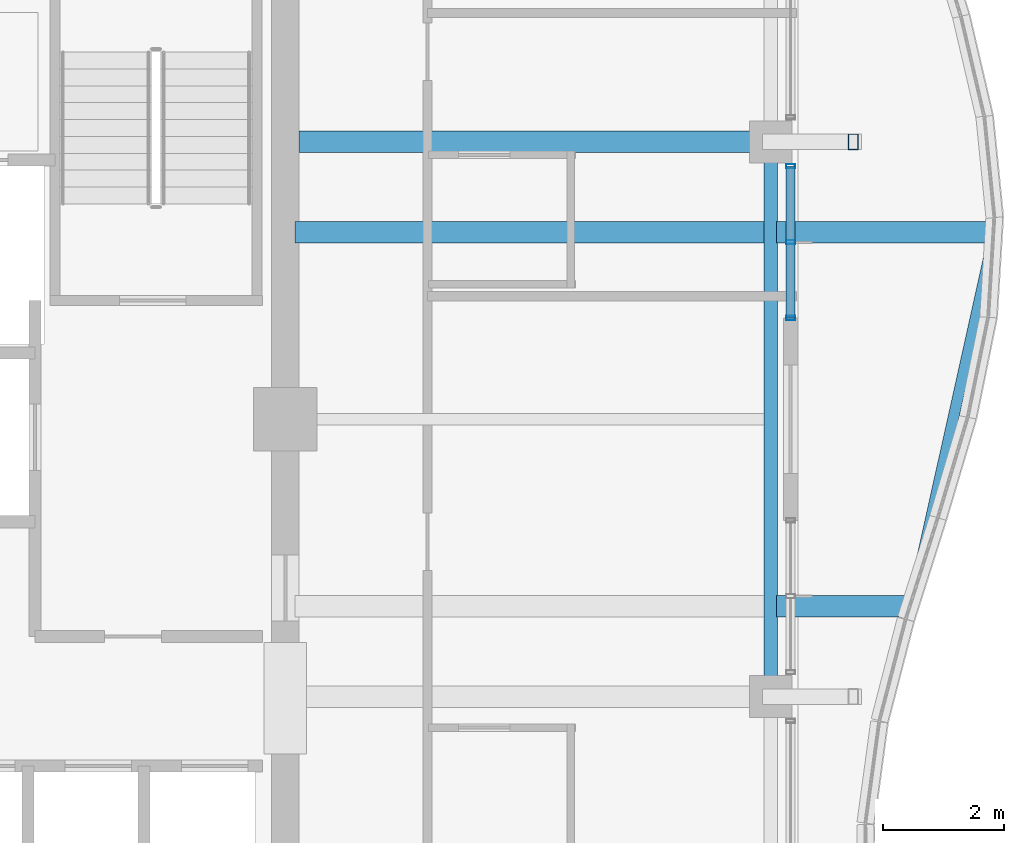
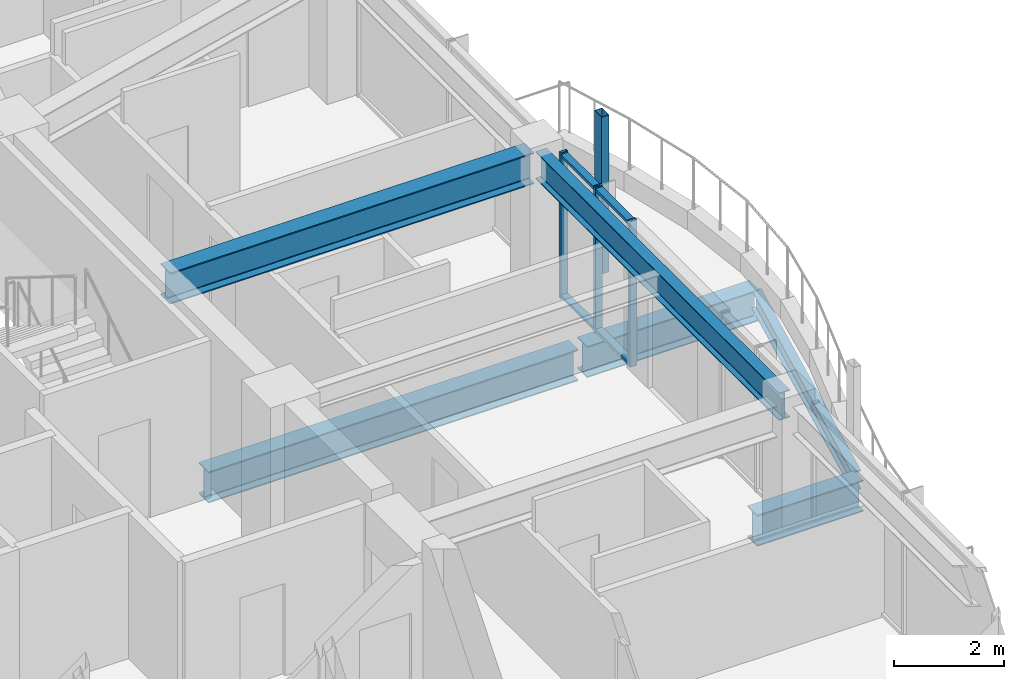
# One storey, part 12 of 29: 6 beams, 6 members, 1 element without a shape of its own.
"""IFC4 building model written with IfcOpenShell, lengths in metres."""

from ifc_helpers import new_model, si_unit, direction, frame, origin, origin_2d, place, context, subcontext, project, spatial, hollow_rectangle, i_section, extrude, material, material_profile, profile_set, type_object, element, aggregate, save


model = new_model("IFC4")

# Units and contexts
model_context = context("Model", 3, precision=1e-05, world=origin(), true_north=direction((0.0, 1.0)))
body_context = subcontext(model_context, "Body", "Model", "MODEL_VIEW")
ifc_project = project(units=[si_unit("LENGTHUNIT", "METRE"), si_unit("AREAUNIT", "SQUARE_METRE"), si_unit("VOLUMEUNIT", "CUBIC_METRE"), si_unit("PLANEANGLEUNIT", "RADIAN"), si_unit("MASSUNIT", "GRAM", prefix="KILO")], contexts=[model_context])

# Site, building, storey
site_placement = place(None, origin())
site = spatial("IfcSite", under=ifc_project, at=site_placement, CompositionType="ELEMENT")
building_placement = place(site_placement, origin())
building = spatial("IfcBuilding", under=site, at=building_placement, Name="Kolvaren Belvedere", CompositionType="ELEMENT")
storey_placement = place(building_placement, frame((0.0, 0.0, 244.39990234375)))
storey = spatial("IfcBuildingStorey", under=building, at=storey_placement, Name="L71", CompositionType="ELEMENT", Elevation=244.39990234375)

# Beams
ifc_material_1 = material(Name="Structural steel ASTM A992 Grade 50", Category="steel")
ifc_material_profile_1 = material_profile(ifc_material_1, i_section(OverallWidth=0.35498046875, OverallDepth=0.696044921875, WebThickness=0.015380859375, FlangeThickness=0.02490234375, FilletRadius=0.02197265625, at=origin_2d()), Name="W27X146")
ifc_profile_set_1 = profile_set([ifc_material_profile_1], Name="Structural steel ASTM A992 Grade 50")
beam_type_1 = type_object("IfcBeamType", Name="BM-CANT-BAL", PredefinedType="BEAM", material=ifc_profile_set_1)
beam_1_placement = place(storey_placement, frame((18.044921875, -3.10009765625, -0.597900390625), z_axis=(1.0, 0.0, 0.0), x_axis=(0.0, 1.0, 0.0)))
element("IfcBeam", 1, at=beam_1_placement, inside=storey, type_object=beam_type_1, Name="L71 Planted Balcony Cantilever BAL-E-1", PredefinedType="BEAM", context=body_context, shape_type="SweptSolid", body=[
    extrude(i_section(OverallWidth=0.35498046875, OverallDepth=0.696044921875, WebThickness=0.015380859375, FlangeThickness=0.02490234375, FilletRadius=0.02197265625, at=origin_2d()), origin(), (0.0, 0.0, 1.0), 2.239990234375),
])
beam_2_placement = place(storey_placement, frame((18.044921875, 3.10009765625, -0.597900390625), z_axis=(1.0, 0.0, 0.0), x_axis=(0.0, 1.0, 0.0)))
element("IfcBeam", 2, at=beam_2_placement, inside=storey, type_object=beam_type_1, Name="L71 Planted Balcony Cantilever BAL-E-2", PredefinedType="BEAM", context=body_context, shape_type="SweptSolid", body=[
    extrude(i_section(OverallWidth=0.35498046875, OverallDepth=0.696044921875, WebThickness=0.015380859375, FlangeThickness=0.02490234375, FilletRadius=0.02197265625, at=origin_2d()), origin(), (0.0, 0.0, 1.0), 3.619140625),
])
ifc_material_2 = material(Name="Structural steel ASTM A992 Grade 50", Category="steel")
ifc_material_profile_2 = material_profile(ifc_material_2, i_section(OverallWidth=0.180908203125, OverallDepth=0.4169921875, WebThickness=0.010986328125, FlangeThickness=0.018310546875, FilletRadius=0.013916015625, at=origin_2d()), Name="W16X57")
ifc_profile_set_2 = profile_set([ifc_material_profile_2], Name="Structural steel ASTM A992 Grade 50")
beam_type_2 = type_object("IfcBeamType", Name="BM-EDGE-W16X57", PredefinedType="BEAM", material=ifc_profile_set_2)
beam_3_placement = place(storey_placement, frame((20.315185546875, -2.96337890625, -0.45849609375), z_axis=(0.217173129084, 0.976133101582, 0.0), x_axis=(-0.976133101582, 0.217173129084, 0.0)))
element("IfcBeam", 3, at=beam_3_placement, inside=storey, type_object=beam_type_2, Name="L71 Balcony Tip Header Beam BAL-E", PredefinedType="BEAM", context=body_context, shape_type="SweptSolid", body=[
    extrude(i_section(OverallWidth=0.180908203125, OverallDepth=0.4169921875, WebThickness=0.010986328125, FlangeThickness=0.018310546875, FilletRadius=0.013916015625, at=origin_2d()), origin(), (0.0, 0.0, 1.0), 6.07177734375),
])
ifc_material_3 = material(Name="Structural steel ASTM A992 Grade 50", Category="steel")
ifc_material_profile_3 = material_profile(ifc_material_3, i_section(OverallWidth=0.35498046875, OverallDepth=0.696044921875, WebThickness=0.015380859375, FlangeThickness=0.02490234375, FilletRadius=0.02197265625, at=origin_2d()), Name="W27X146")
ifc_profile_set_3 = profile_set([ifc_material_profile_3], Name="Structural steel ASTM A992 Grade 50")
beam_type_3 = type_object("IfcBeamType", Name="BM-GIRD-W27X146", PredefinedType="BEAM", material=ifc_profile_set_3)
beam_4_placement = place(storey_placement, frame((10.06494140625, 3.10009765625, -0.597900390625), z_axis=(1.0, 0.0, 0.0), x_axis=(0.0, 1.0, 0.0)))
element("IfcBeam", 4, at=beam_4_placement, inside=storey, type_object=beam_type_3, Name="L71 Balcony Interior Back-Span Girder BAL-E-2", PredefinedType="BEAM", context=body_context, shape_type="SweptSolid", body=[
    extrude(i_section(OverallWidth=0.35498046875, OverallDepth=0.696044921875, WebThickness=0.015380859375, FlangeThickness=0.02490234375, FilletRadius=0.02197265625, at=origin_2d()), origin(), (0.0, 0.0, 1.0), 7.7900390625),
])
beam_5_placement = place(storey_placement, frame((10.125, 4.60009765625, 2.902099609375), z_axis=(1.0, 0.0, 0.0), x_axis=(0.0, 1.0, 0.0)))
element("IfcBeam", 5, at=beam_5_placement, inside=storey, type_object=beam_type_3, Name="L71 East Radial Girder P", PredefinedType="BEAM", context=body_context, shape_type="SweptSolid", body=[
    extrude(i_section(OverallWidth=0.35498046875, OverallDepth=0.696044921875, WebThickness=0.015380859375, FlangeThickness=0.02490234375, FilletRadius=0.02197265625, at=origin_2d()), origin(), (0.0, 0.0, 1.0), 7.66748046875),
])
ifc_material_4 = material(Name="Structural steel ASTM A992 Grade 50", Category="steel")
ifc_material_profile_4 = material_profile(ifc_material_4, i_section(OverallWidth=0.22900390625, OverallDepth=0.612060546875, WebThickness=0.011962890625, FlangeThickness=0.01953125, FilletRadius=0.01806640625, at=origin_2d()), Name="W24X84")
ifc_profile_set_4 = profile_set([ifc_material_profile_4], Name="Structural steel ASTM A992 Grade 50")
beam_type_4 = type_object("IfcBeamType", Name="BM-SPAN-W24X84", PredefinedType="SPANDREL", material=ifc_profile_set_4)
beam_6_placement = place(storey_placement, frame((17.949951171875, -4.4423828125, 2.944091796875), z_axis=(0.0, 1.0, 0.0), x_axis=(-1.0, 0.0, 0.0)))
element("IfcBeam", 6, at=beam_6_placement, inside=storey, type_object=beam_type_4, Name="L71 Perimeter Spandrel E2-E3", PredefinedType="SPANDREL", context=body_context, shape_type="SweptSolid", body=[
    extrude(i_section(OverallWidth=0.22900390625, OverallDepth=0.612060546875, WebThickness=0.011962890625, FlangeThickness=0.01953125, FilletRadius=0.01806640625, at=origin_2d()), origin(), (0.0, 0.0, 1.0), 8.884765625),
])

# Curtain wall, members
ifc_material_5 = material(Name="Anodised pale-metal aluminium AA 6063-T6", Category="aluminium")
curtain_wall_type = type_object("IfcCurtainWallType", Name="CW-Z5-HIGH", PredefinedType="NOTDEFINED", material=ifc_material_5)
curtain_wall_placement = place(storey_placement, origin())
curtain_wall = element("IfcCurtainWall", 7, at=curtain_wall_placement, inside=storey, type_object=curtain_wall_type, Name="L71 Unitised Curtain Wall FCW-L71-E1-B2", PredefinedType="NOTDEFINED")
ifc_material_6 = material(Name="Anodised pale-metal aluminium AA 6063-T6", Category="aluminium")
ifc_material_profile_5 = material_profile(ifc_material_6, hollow_rectangle(XDim=0.070068359375, YDim=0.14990234375, WallThickness=0.004150390625, at=origin_2d()), Name="ALU-MUL-150X70")
ifc_profile_set_5 = profile_set([ifc_material_profile_5], Name="Anodised pale-metal aluminium AA 6063-T6")
member_type_1 = type_object("IfcMemberType", Name="CW-MUL-150", PredefinedType="MULLION", material=ifc_profile_set_5)
member_1_placement = place(storey_placement, frame((18.280029296875, 4.195068359375, 0.0), z_axis=(0.0, 0.0, 1.0), x_axis=(0.0, 1.0, 0.0)))
member_1 = element("IfcMember", 8, at=member_1_placement, type_object=member_type_1, Name="FCW-L71-E1-B2 Unitised Mullion 1", PredefinedType="MULLION", context=body_context, shape_type="SweptSolid", body=[
    extrude(hollow_rectangle(XDim=0.070068359375, YDim=0.14990234375, WallThickness=0.004150390625, at=origin_2d()), origin(), (0.0, 0.0, 1.0), 3.25),
])
member_2_placement = place(storey_placement, frame((18.280029296875, 2.9375, 0.0), z_axis=(0.0, 0.0, 1.0), x_axis=(0.0, 1.0, 0.0)))
member_2 = element("IfcMember", 9, at=member_2_placement, type_object=member_type_1, Name="FCW-L71-E1-B2 Unitised Mullion 2", PredefinedType="MULLION", context=body_context, shape_type="SweptSolid", body=[
    extrude(hollow_rectangle(XDim=0.070068359375, YDim=0.14990234375, WallThickness=0.004150390625, at=origin_2d()), origin(), (0.0, 0.0, 1.0), 3.25),
])
member_3_placement = place(storey_placement, frame((18.280029296875, 1.679931640625, 0.0), z_axis=(0.0, 0.0, 1.0), x_axis=(0.0, 1.0, 0.0)))
member_3 = element("IfcMember", 10, at=member_3_placement, type_object=member_type_1, Name="FCW-L71-E1-B2 Unitised Mullion 3", PredefinedType="MULLION", context=body_context, shape_type="SweptSolid", body=[
    extrude(hollow_rectangle(XDim=0.070068359375, YDim=0.14990234375, WallThickness=0.004150390625, at=origin_2d()), origin(), (0.0, 0.0, 1.0), 3.25),
])
ifc_material_7 = material(Name="Anodised pale-metal aluminium AA 6063-T6", Category="aluminium")
ifc_material_profile_6 = material_profile(ifc_material_7, hollow_rectangle(XDim=0.06494140625, YDim=0.14990234375, WallThickness=0.00390625, at=origin_2d()), Name="ALU-TRN-150X65")
ifc_profile_set_6 = profile_set([ifc_material_profile_6], Name="Anodised pale-metal aluminium AA 6063-T6")
member_type_2 = type_object("IfcMemberType", Name="CW-TRN-150", PredefinedType="USERDEFINED", material=ifc_profile_set_6)
member_4_placement = place(storey_placement, frame((18.280029296875, 4.195068359375, 0.06005859375), z_axis=(0.0, -1.0, 0.0), x_axis=(0.0, 0.0, 1.0)))
member_4 = element("IfcMember", 11, at=member_4_placement, type_object=member_type_2, Name="FCW-L71-E1-B2 Sill Transom", ObjectType="TRANSOM", PredefinedType="USERDEFINED", context=body_context, shape_type="SweptSolid", body=[
    extrude(hollow_rectangle(XDim=0.06494140625, YDim=0.14990234375, WallThickness=0.00390625, at=origin_2d()), origin(), (0.0, 0.0, 1.0), 2.51513671875),
])
member_5_placement = place(storey_placement, frame((18.280029296875, 4.195068359375, 3.190185546875), z_axis=(0.0, -1.0, 0.0), x_axis=(0.0, 0.0, 1.0)))
member_5 = element("IfcMember", 12, at=member_5_placement, type_object=member_type_2, Name="FCW-L71-E1-B2 Head Transom", ObjectType="TRANSOM", PredefinedType="USERDEFINED", context=body_context, shape_type="SweptSolid", body=[
    extrude(hollow_rectangle(XDim=0.06494140625, YDim=0.14990234375, WallThickness=0.00390625, at=origin_2d()), origin(), (0.0, 0.0, 1.0), 2.51513671875),
])
aggregate(curtain_wall, [member_1, member_2, member_3, member_4, member_5])

# Member
ifc_material_8 = material(Name="Anodised pale-metal aluminium AA 6063-T6", Category="aluminium")
ifc_material_profile_7 = material_profile(ifc_material_8, hollow_rectangle(XDim=0.159912109375, YDim=0.260009765625, WallThickness=0.006591796875, at=origin_2d()), Name="ALU-PF-260X160")
ifc_profile_set_7 = profile_set([ifc_material_profile_7], Name="Anodised pale-metal aluminium AA 6063-T6")
member_type_3 = type_object("IfcMemberType", Name="PF-FRAME-260", PredefinedType="USERDEFINED", material=ifc_profile_set_7)
member_6_placement = place(storey_placement, frame((19.320068359375, 4.60009765625, 0.0), z_axis=(0.0, 0.0, 1.0), x_axis=(1.0, 0.0, 0.0)))
element("IfcMember", 13, at=member_6_placement, inside=storey, type_object=member_type_3, Name="L71 Outboard Picture-Frame Vertical E1", ObjectType="PICTURE FRAME FIN", PredefinedType="USERDEFINED", context=body_context, shape_type="SweptSolid", body=[
    extrude(hollow_rectangle(XDim=0.159912109375, YDim=0.260009765625, WallThickness=0.006591796875, at=origin_2d()), origin(), (0.0, 0.0, 1.0), 3.5),
])

save(model, "model.ifc")
